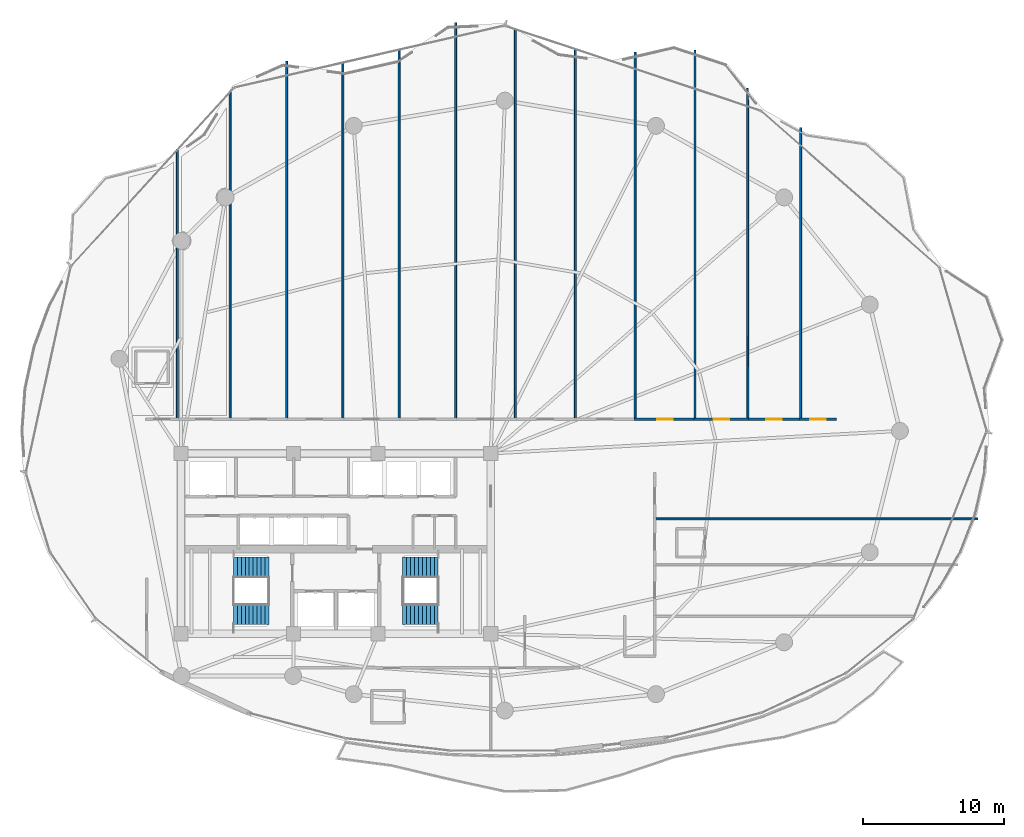
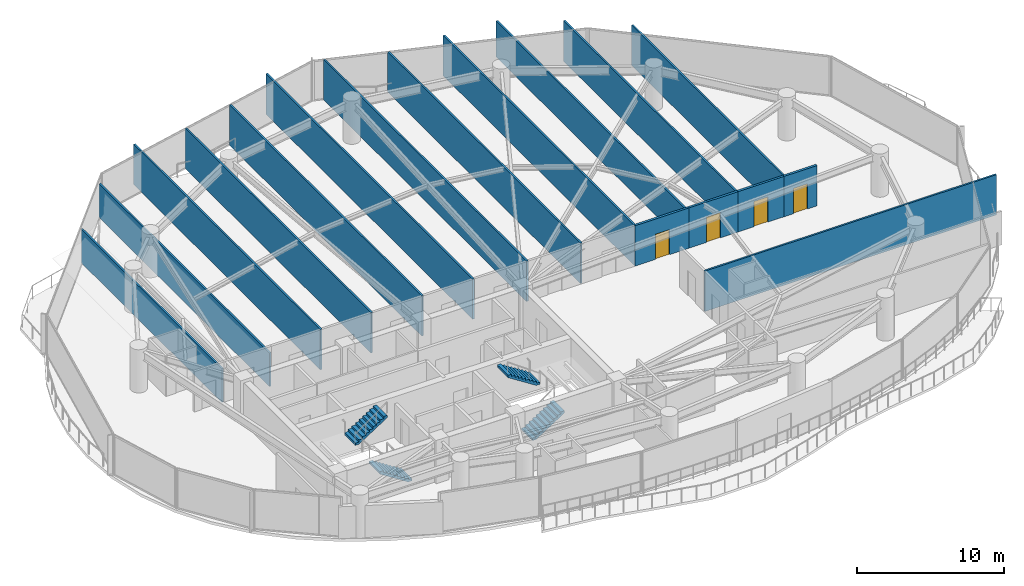
# One storey, part 28 of 34: 17 walls, 4 doors, 4 stair flights, 4 openings, 2 elements without a shape of their own.
"""IFC4 building model written with IfcOpenShell, lengths in metres."""

from ifc_helpers import new_model, si_unit, direction, frame, frame_2d, origin, place, context, subcontext, project, spatial, polyline, rectangle, outline, extrude, material, layer, layer_set, type_object, element, fill, aggregate, save


model = new_model("IFC4")

# Units and contexts
model_context = context("Model", 3, precision=1e-05, world=origin(), true_north=direction((0.0, 1.0)))
body_context = subcontext(model_context, "Body", "Model", "MODEL_VIEW")
ifc_project = project(units=[si_unit("LENGTHUNIT", "METRE"), si_unit("AREAUNIT", "SQUARE_METRE"), si_unit("VOLUMEUNIT", "CUBIC_METRE"), si_unit("PLANEANGLEUNIT", "RADIAN"), si_unit("MASSUNIT", "GRAM", prefix="KILO")], contexts=[model_context])

# Site, building, storey
site_placement = place(None, origin())
site = spatial("IfcSite", under=ifc_project, at=site_placement, CompositionType="ELEMENT")
building_placement = place(site_placement, origin())
building = spatial("IfcBuilding", under=site, at=building_placement, Name="Kazevale Care Tower and Concert Hall", CompositionType="ELEMENT")
storey_placement = place(building_placement, frame((0.0, 0.0, 160.199951171875)))
storey = spatial("IfcBuildingStorey", under=building, at=storey_placement, Name="L42", CompositionType="ELEMENT", Elevation=160.199951171875)

# Walls
ifc_material_1 = material(Name="Acoustic Gypsum on Steel Stud", Category="steel")
ifc_layer_1 = layer(ifc_material_1, 0.139892578125)
ifc_layer_set_1 = layer_set([ifc_layer_1], Name="Acoustic Gypsum on Steel Stud")
wall_type_1 = type_object("IfcWallType", Name="Acoustic Care & Suite Partition 140", PredefinedType="PARTITIONING", material=ifc_layer_set_1)
wall_1_placement = place(storey_placement, frame((21.75, 58.006103515625, 0.0), z_axis=(0.0, 0.0, 1.0), x_axis=(0.0, -1.0, 0.0)))
element("IfcWall", 1, at=wall_1_placement, inside=storey, type_object=wall_type_1, Name="wall:L42:auto_024", PredefinedType="PARTITIONING", context=body_context, shape_type="SweptSolid", body=[
    extrude(rectangle(XDim=19.211181640625, YDim=0.139892578125, at=frame_2d((9.60546875, 0.0))), origin(), (0.0, 0.0, 1.0), 2.80615234375),
])
wall_2_placement = place(storey_placement, frame((25.5, 62.048828125, 0.0), z_axis=(0.0, 0.0, 1.0), x_axis=(0.0, -1.0, 0.0)))
element("IfcWall", 2, at=wall_2_placement, inside=storey, type_object=wall_type_1, Name="wall:L42:auto_025", PredefinedType="PARTITIONING", context=body_context, shape_type="SweptSolid", body=[
    extrude(rectangle(XDim=23.25390625, YDim=0.139892578125, at=frame_2d((11.626953125, 0.0))), origin(), (0.0, 0.0, 1.0), 2.80615234375),
])
wall_3_placement = place(storey_placement, frame((29.5, 64.243896484375, 0.0), z_axis=(0.0, 0.0, 1.0), x_axis=(0.0, -1.0, 0.0)))
element("IfcWall", 3, at=wall_3_placement, inside=storey, type_object=wall_type_1, Name="wall:L42:auto_026", PredefinedType="PARTITIONING", context=body_context, shape_type="SweptSolid", body=[
    extrude(rectangle(XDim=25.448974609375, YDim=0.139892578125, at=frame_2d((12.724609375, 0.0))), origin(), (0.0, 0.0, 1.0), 3.360107421875),
])
wall_4_placement = place(storey_placement, frame((33.5, 64.1298828125, 0.0), z_axis=(0.0, 0.0, 1.0), x_axis=(0.0, -1.0, 0.0)))
element("IfcWall", 4, at=wall_4_placement, inside=storey, type_object=wall_type_1, Name="wall:L42:auto_027", PredefinedType="PARTITIONING", context=body_context, shape_type="SweptSolid", body=[
    extrude(rectangle(XDim=25.3349609375, YDim=0.139892578125, at=frame_2d((12.66748046875, 0.0))), origin(), (0.0, 0.0, 1.0), 3.360107421875),
])
wall_5_placement = place(storey_placement, frame((37.5, 65.04736328125, 0.0), z_axis=(0.0, 0.0, 1.0), x_axis=(0.0, -1.0, 0.0)))
element("IfcWall", 5, at=wall_5_placement, inside=storey, type_object=wall_type_1, Name="wall:L42:auto_028", PredefinedType="PARTITIONING", context=body_context, shape_type="SweptSolid", body=[
    extrude(rectangle(XDim=26.25244140625, YDim=0.139892578125, at=frame_2d((13.126220703125, 0.0))), origin(), (0.0, 0.0, 1.0), 3.360107421875),
])
wall_6_placement = place(storey_placement, frame((41.5, 66.992919921875, 0.0), z_axis=(0.0, 0.0, 1.0), x_axis=(0.0, -1.0, 0.0)))
element("IfcWall", 6, at=wall_6_placement, inside=storey, type_object=wall_type_1, Name="wall:L42:auto_029", PredefinedType="PARTITIONING", context=body_context, shape_type="SweptSolid", body=[
    extrude(rectangle(XDim=28.197998046875, YDim=0.139892578125, at=frame_2d((14.09912109375, 0.0))), origin(), (0.0, 0.0, 1.0), 3.360107421875),
])
wall_7_placement = place(storey_placement, frame((45.75, 66.495361328125, 0.0), z_axis=(0.0, 0.0, 1.0), x_axis=(0.0, -1.0, 0.0)))
element("IfcWall", 7, at=wall_7_placement, inside=storey, type_object=wall_type_1, Name="wall:L42:auto_030", PredefinedType="PARTITIONING", context=body_context, shape_type="SweptSolid", body=[
    extrude(rectangle(XDim=27.700439453125, YDim=0.139892578125, at=frame_2d((13.85009765625, 0.0))), origin(), (0.0, 0.0, 1.0), 3.360107421875),
])
wall_8_placement = place(storey_placement, frame((50.0, 65.08544921875, 0.0), z_axis=(0.0, 0.0, 1.0), x_axis=(0.0, -1.0, 0.0)))
element("IfcWall", 8, at=wall_8_placement, inside=storey, type_object=wall_type_1, Name="wall:L42:auto_031", PredefinedType="PARTITIONING", context=body_context, shape_type="SweptSolid", body=[
    extrude(rectangle(XDim=26.29052734375, YDim=0.139892578125, at=frame_2d((13.145263671875, 0.0))), origin(), (0.0, 0.0, 1.0), 3.360107421875),
])
wall_9_placement = place(storey_placement, frame((54.25, 64.885986328125, 0.0), z_axis=(0.0, 0.0, 1.0), x_axis=(0.0, -1.0, 0.0)))
element("IfcWall", 9, at=wall_9_placement, inside=storey, type_object=wall_type_1, Name="wall:L42:auto_032", PredefinedType="PARTITIONING", context=body_context, shape_type="SweptSolid", body=[
    extrude(rectangle(XDim=26.091064453125, YDim=0.139892578125, at=frame_2d((13.04541015625, 0.0))), origin(), (0.0, 0.0, 1.0), 3.360107421875),
])
wall_10_placement = place(storey_placement, frame((58.5, 65.02294921875, 0.0), z_axis=(0.0, 0.0, 1.0), x_axis=(0.0, -1.0, 0.0)))
element("IfcWall", 10, at=wall_10_placement, inside=storey, type_object=wall_type_1, Name="wall:L42:auto_033", PredefinedType="PARTITIONING", context=body_context, shape_type="SweptSolid", body=[
    extrude(rectangle(XDim=26.22802734375, YDim=0.139892578125, at=frame_2d((13.114013671875, 0.0))), origin(), (0.0, 0.0, 1.0), 2.99609375),
])
wall_11_placement = place(storey_placement, frame((62.22802734375, 62.31689453125, 0.0), z_axis=(0.0, 0.0, 1.0), x_axis=(0.000934132821, -0.999999563698, 0.0)))
element("IfcWall", 11, at=wall_11_placement, inside=storey, type_object=wall_type_1, Name="wall:L42:auto_034", PredefinedType="PARTITIONING", context=body_context, shape_type="SweptSolid", body=[
    extrude(rectangle(XDim=23.52197265625, YDim=0.139892578125, at=frame_2d((11.760986328125, 0.0))), origin(), (0.0, 0.0, 1.0), 3.360107421875),
])
wall_12_placement = place(storey_placement, frame((66.0, 59.532958984375, 0.0), z_axis=(0.0, 0.0, 1.0), x_axis=(0.0, -1.0, 0.0)))
element("IfcWall", 12, at=wall_12_placement, inside=storey, type_object=wall_type_1, Name="wall:L42:auto_035", PredefinedType="PARTITIONING", context=body_context, shape_type="SweptSolid", body=[
    extrude(rectangle(XDim=20.738037109375, YDim=0.139892578125, at=frame_2d((10.369140625, 0.0))), origin(), (0.0, 0.0, 1.0), 3.360107421875),
])
wall_13_placement = place(storey_placement, frame((55.6201171875, 31.75, 0.0), z_axis=(0.0, 0.0, 1.0), x_axis=(1.0, 0.0, 0.0)))
element("IfcWall", 13, at=wall_13_placement, inside=storey, type_object=wall_type_1, Name="wall:L42:auto_039", PredefinedType="PARTITIONING", context=body_context, shape_type="SweptSolid", body=[
    extrude(rectangle(XDim=22.9677734375, YDim=0.139892578125, at=frame_2d((11.48388671875, 0.0))), origin(), (0.0, 0.0, 1.0), 3.360107421875),
])

# Wall, opening, door
ifc_material_2 = material(Name="Concrete C40 and Acoustic Gypsum", Category="concrete")
ifc_layer_2 = layer(ifc_material_2, 0.179931640625)
ifc_layer_set_2 = layer_set([ifc_layer_2], Name="Concrete C40 and Acoustic Gypsum")
wall_type_2 = type_object("IfcWallType", Name="Fire-Rated Corridor & Party Wall 180", PredefinedType="PARTITIONING", material=ifc_layer_set_2)
wall_14_placement = place(storey_placement, frame((54.18505859375, 38.824951171875, 0.0), z_axis=(0.0, 0.0, 1.0), x_axis=(1.0, 0.0, 0.0)))
wall_14 = element("IfcWall", 14, at=wall_14_placement, inside=storey, type_object=wall_type_2, Name="wall:L42:auto_010", PredefinedType="PARTITIONING", context=body_context, shape_type="SweptSolid", body=[
    extrude(rectangle(XDim=4.3798828125, YDim=0.179931640625, at=frame_2d((2.18994140625, 0.0))), origin(), (0.0, 0.0, 1.0), 3.360107421875),
])
opening_1_placement = place(wall_14_placement, frame((1.639892578125, 0.0, 0.0)))
opening_1 = element("IfcOpeningElement", 15, at=opening_1_placement, cuts=wall_14, Name="Opening ID-1100", PredefinedType="OPENING", context=body_context, shape_type="SweptSolid", body=[
    extrude(rectangle(XDim=1.10009765625, YDim=2.10009765625, at=frame_2d((0.550048828125, 1.050048828125))), frame((0.0, 0.099853515625, 0.0), z_axis=(0.0, -1.0, 0.0), x_axis=(1.0, 0.0, 0.0)), (0.0, 0.0, 1.0), 0.199951171875),
])
ifc_material_3 = material(Name="Oak Timber Fire Leaf", Category="wood")
door_type = type_object("IfcDoorType", Name="Care Bedroom Accessible Door 1100x2100", OperationType="NOTDEFINED", PredefinedType="DOOR", material=ifc_material_3)
door_1_placement = place(opening_1_placement, origin())
door_1 = element("IfcDoor", 16, at=door_1_placement, inside=storey, type_object=door_type, Name="door:L42:ad_010", OperationType="SINGLE_SWING_LEFT", OverallHeight=2.10009765625, OverallWidth=1.10009765625, PredefinedType="DOOR", context=body_context, shape_type="SweptSolid", body=[
    extrude(rectangle(XDim=1.10009765625, YDim=2.10009765625, at=frame_2d((0.550048828125, 1.050048828125))), frame((0.0, 0.02490234375, 0.0), z_axis=(0.0, -1.0, 0.0), x_axis=(1.0, 0.0, 0.0)), (0.0, 0.0, 1.0), 0.050048828125),
])
fill(opening_1, door_1)

wall_15_placement = place(storey_placement, frame((58.43505859375, 38.824951171875, 0.0), z_axis=(0.0, 0.0, 1.0), x_axis=(1.0, 0.0, 0.0)))
wall_15 = element("IfcWall", 17, at=wall_15_placement, inside=storey, type_object=wall_type_2, Name="wall:L42:auto_011", PredefinedType="PARTITIONING", context=body_context, shape_type="SweptSolid", body=[
    extrude(rectangle(XDim=3.8798828125, YDim=0.179931640625, at=frame_2d((1.93994140625, 0.0))), origin(), (0.0, 0.0, 1.0), 3.360107421875),
])
opening_2_placement = place(wall_15_placement, frame((1.389892578125, 0.0, 0.0)))
opening_2 = element("IfcOpeningElement", 18, at=opening_2_placement, cuts=wall_15, Name="Opening ID-1100", PredefinedType="OPENING", context=body_context, shape_type="SweptSolid", body=[
    extrude(rectangle(XDim=1.10009765625, YDim=2.10009765625, at=frame_2d((0.550048828125, 1.050048828125))), frame((0.0, 0.099853515625, 0.0), z_axis=(0.0, -1.0, 0.0), x_axis=(1.0, 0.0, 0.0)), (0.0, 0.0, 1.0), 0.199951171875),
])
door_2_placement = place(opening_2_placement, origin())
door_2 = element("IfcDoor", 19, at=door_2_placement, inside=storey, type_object=door_type, Name="door:L42:ad_011", OperationType="SINGLE_SWING_LEFT", OverallHeight=2.10009765625, OverallWidth=1.10009765625, PredefinedType="DOOR", context=body_context, shape_type="SweptSolid", body=[
    extrude(rectangle(XDim=1.10009765625, YDim=2.10009765625, at=frame_2d((0.550048828125, 1.050048828125))), frame((0.0, 0.02490234375, 0.0), z_axis=(0.0, -1.0, 0.0), x_axis=(1.0, 0.0, 0.0)), (0.0, 0.0, 1.0), 0.050048828125),
])
fill(opening_2, door_2)

wall_16_placement = place(storey_placement, frame((62.18505859375, 38.824951171875, 0.0), z_axis=(0.0, 0.0, 1.0), x_axis=(1.0, 0.0, 0.0)))
wall_16 = element("IfcWall", 20, at=wall_16_placement, inside=storey, type_object=wall_type_2, Name="wall:L42:auto_012", PredefinedType="PARTITIONING", context=body_context, shape_type="SweptSolid", body=[
    extrude(rectangle(XDim=3.8798828125, YDim=0.179931640625, at=frame_2d((1.93994140625, 0.0))), origin(), (0.0, 0.0, 1.0), 3.360107421875),
])
opening_3_placement = place(wall_16_placement, frame((1.389892578125, 0.0, 0.0)))
opening_3 = element("IfcOpeningElement", 21, at=opening_3_placement, cuts=wall_16, Name="Opening ID-1100", PredefinedType="OPENING", context=body_context, shape_type="SweptSolid", body=[
    extrude(rectangle(XDim=1.10009765625, YDim=2.10009765625, at=frame_2d((0.550048828125, 1.050048828125))), frame((0.0, 0.099853515625, 0.0), z_axis=(0.0, -1.0, 0.0), x_axis=(1.0, 0.0, 0.0)), (0.0, 0.0, 1.0), 0.199951171875),
])
door_3_placement = place(opening_3_placement, origin())
door_3 = element("IfcDoor", 22, at=door_3_placement, inside=storey, type_object=door_type, Name="door:L42:ad_012", OperationType="SINGLE_SWING_LEFT", OverallHeight=2.10009765625, OverallWidth=1.10009765625, PredefinedType="DOOR", context=body_context, shape_type="SweptSolid", body=[
    extrude(rectangle(XDim=1.10009765625, YDim=2.10009765625, at=frame_2d((0.550048828125, 1.050048828125))), frame((0.0, 0.02490234375, 0.0), z_axis=(0.0, -1.0, 0.0), x_axis=(1.0, 0.0, 0.0)), (0.0, 0.0, 1.0), 0.050048828125),
])
fill(opening_3, door_3)

wall_17_placement = place(storey_placement, frame((65.93505859375, 38.824951171875, 0.0), z_axis=(0.0, 0.0, 1.0), x_axis=(1.0, 0.0, 0.0)))
wall_17 = element("IfcWall", 23, at=wall_17_placement, inside=storey, type_object=wall_type_2, Name="wall:L42:auto_013", PredefinedType="PARTITIONING", context=body_context, shape_type="SweptSolid", body=[
    extrude(rectangle(XDim=2.594970703125, YDim=0.179931640625, at=frame_2d((1.29736328125, 0.0))), origin(), (0.0, 0.0, 1.0), 3.360107421875),
])
opening_4_placement = place(wall_17_placement, frame((0.748046875, 0.0, 0.0)))
opening_4 = element("IfcOpeningElement", 24, at=opening_4_placement, cuts=wall_17, Name="Opening ID-1100", PredefinedType="OPENING", context=body_context, shape_type="SweptSolid", body=[
    extrude(rectangle(XDim=1.10009765625, YDim=2.10009765625, at=frame_2d((0.550048828125, 1.050048828125))), frame((0.0, 0.099853515625, 0.0), z_axis=(0.0, -1.0, 0.0), x_axis=(1.0, 0.0, 0.0)), (0.0, 0.0, 1.0), 0.199951171875),
])
door_4_placement = place(opening_4_placement, origin())
door_4 = element("IfcDoor", 25, at=door_4_placement, inside=storey, type_object=door_type, Name="door:L42:ad_013", OperationType="SINGLE_SWING_LEFT", OverallHeight=2.10009765625, OverallWidth=1.10009765625, PredefinedType="DOOR", context=body_context, shape_type="SweptSolid", body=[
    extrude(rectangle(XDim=1.10009765625, YDim=2.10009765625, at=frame_2d((0.550048828125, 1.050048828125))), frame((0.0, 0.02490234375, 0.0), z_axis=(0.0, -1.0, 0.0), x_axis=(1.0, 0.0, 0.0)), (0.0, 0.0, 1.0), 0.050048828125),
])
fill(opening_4, door_4)

# Stair, stair flights
ifc_material_4 = material(Name="Concrete C40", Category="concrete")
stair_type = type_object("IfcStairType", Name="Exit Stair Assembly ST1-Z2", PredefinedType="HALF_TURN_STAIR", material=ifc_material_4)
stair_1_placement = place(storey_placement, origin())
stair_1 = element("IfcStair", 26, at=stair_1_placement, inside=storey, type_object=stair_type, Name="stair:L42:ST1", PredefinedType="HALF_TURN_STAIR")
ifc_layer_3 = layer(ifc_material_4, 0.159912109375)
ifc_layer_set_3 = layer_set([ifc_layer_3], Name="Concrete C40")
stair_flight_type = type_object("IfcStairFlightType", Name="Exit Stair Flight ST1-Z2", PredefinedType="STRAIGHT", material=ifc_layer_set_3)
stair_flight_1_placement = place(storey_placement, frame((28.25, 24.97998046875, 0.0), z_axis=(0.0, 0.0, 1.0), x_axis=(-1.0, 0.0, 0.0)))
stair_flight_1 = element("IfcStairFlight", 27, at=stair_flight_1_placement, type_object=stair_flight_type, Name="ST1-Z2 flight 1", NumberOfRisers=10, NumberOfTreads=9, PredefinedType="STRAIGHT", RiserHeight=0.18, TreadLength=0.28, context=body_context, shape_type="SweptSolid", body=[
    extrude(outline(polyline([(0.0, 0.0), (0.0, 0.179931640625), (0.280029296875, 0.179931640625), (0.280029296875, 0.360107421875), (0.56005859375, 0.360107421875), (0.56005859375, 0.5400390625), (0.840087890625, 0.5400390625), (0.840087890625, 0.719970703125), (1.1201171875, 0.719970703125), (1.1201171875, 0.89990234375), (1.39990234375, 0.89990234375), (1.39990234375, 1.080078125), (1.679931640625, 1.080078125), (1.679931640625, 1.260009765625), (1.9599609375, 1.260009765625), (1.9599609375, 1.43994140625), (2.239990234375, 1.43994140625), (2.239990234375, 1.6201171875), (2.52001953125, 1.6201171875), (2.52001953125, 1.800048828125), (2.52001953125, 1.429931640625), (0.295654296875, 0.0), (0.0, 0.0)])), frame((0.0, 0.72998046875, 0.0), z_axis=(0.0, -1.0, 0.0), x_axis=(1.0, 0.0, 0.0)), (0.0, 0.0, 1.0), 1.4599609375),
])
stair_flight_2_placement = place(storey_placement, frame((25.72998046875, 28.320068359375, 1.800048828125), z_axis=(0.0, 0.0, 1.0), x_axis=(1.0, 0.0, 0.0)))
stair_flight_2 = element("IfcStairFlight", 28, at=stair_flight_2_placement, type_object=stair_flight_type, Name="ST1-Z2 flight 2", NumberOfRisers=10, NumberOfTreads=9, PredefinedType="STRAIGHT", RiserHeight=0.18, TreadLength=0.28, context=body_context, shape_type="SweptSolid", body=[
    extrude(outline(polyline([(0.0, 0.0), (0.0, 0.179931640625), (0.280029296875, 0.179931640625), (0.280029296875, 0.360107421875), (0.56005859375, 0.360107421875), (0.56005859375, 0.5400390625), (0.840087890625, 0.5400390625), (0.840087890625, 0.719970703125), (1.1201171875, 0.719970703125), (1.1201171875, 0.89990234375), (1.39990234375, 0.89990234375), (1.39990234375, 1.080078125), (1.679931640625, 1.080078125), (1.679931640625, 1.260009765625), (1.9599609375, 1.260009765625), (1.9599609375, 1.43994140625), (2.239990234375, 1.43994140625), (2.239990234375, 1.6201171875), (2.52001953125, 1.6201171875), (2.52001953125, 1.800048828125), (2.52001953125, 1.429931640625), (0.295654296875, 0.0), (0.0, 0.0)])), frame((0.0, 0.72998046875, 0.0), z_axis=(0.0, -1.0, 0.0), x_axis=(1.0, 0.0, 0.0)), (0.0, 0.0, 1.0), 1.4599609375),
])
aggregate(stair_1, [stair_flight_1, stair_flight_2])

stair_2_placement = place(storey_placement, origin())
stair_2 = element("IfcStair", 29, at=stair_2_placement, inside=storey, type_object=stair_type, Name="stair:L42:ST2", PredefinedType="HALF_TURN_STAIR")
stair_flight_3_placement = place(storey_placement, frame((37.75, 24.97998046875, 0.0), z_axis=(0.0, 0.0, 1.0), x_axis=(1.0, 0.0, 0.0)))
stair_flight_3 = element("IfcStairFlight", 30, at=stair_flight_3_placement, type_object=stair_flight_type, Name="ST1-Z2 flight 1", NumberOfRisers=10, NumberOfTreads=9, PredefinedType="STRAIGHT", RiserHeight=0.18, TreadLength=0.28, context=body_context, shape_type="SweptSolid", body=[
    extrude(outline(polyline([(0.0, 0.0), (0.0, 0.179931640625), (0.280029296875, 0.179931640625), (0.280029296875, 0.360107421875), (0.56005859375, 0.360107421875), (0.56005859375, 0.5400390625), (0.840087890625, 0.5400390625), (0.840087890625, 0.719970703125), (1.1201171875, 0.719970703125), (1.1201171875, 0.89990234375), (1.39990234375, 0.89990234375), (1.39990234375, 1.080078125), (1.679931640625, 1.080078125), (1.679931640625, 1.260009765625), (1.9599609375, 1.260009765625), (1.9599609375, 1.43994140625), (2.239990234375, 1.43994140625), (2.239990234375, 1.6201171875), (2.52001953125, 1.6201171875), (2.52001953125, 1.800048828125), (2.52001953125, 1.429931640625), (0.295654296875, 0.0), (0.0, 0.0)])), frame((0.0, 0.72998046875, 0.0), z_axis=(0.0, -1.0, 0.0), x_axis=(1.0, 0.0, 0.0)), (0.0, 0.0, 1.0), 1.4599609375),
])
stair_flight_4_placement = place(storey_placement, frame((40.27001953125, 28.320068359375, 1.800048828125), z_axis=(0.0, 0.0, 1.0), x_axis=(-1.0, 0.0, 0.0)))
stair_flight_4 = element("IfcStairFlight", 31, at=stair_flight_4_placement, type_object=stair_flight_type, Name="ST1-Z2 flight 2", NumberOfRisers=10, NumberOfTreads=9, PredefinedType="STRAIGHT", RiserHeight=0.18, TreadLength=0.28, context=body_context, shape_type="SweptSolid", body=[
    extrude(outline(polyline([(0.0, 0.0), (0.0, 0.179931640625), (0.280029296875, 0.179931640625), (0.280029296875, 0.360107421875), (0.56005859375, 0.360107421875), (0.56005859375, 0.5400390625), (0.840087890625, 0.5400390625), (0.840087890625, 0.719970703125), (1.1201171875, 0.719970703125), (1.1201171875, 0.89990234375), (1.39990234375, 0.89990234375), (1.39990234375, 1.080078125), (1.679931640625, 1.080078125), (1.679931640625, 1.260009765625), (1.9599609375, 1.260009765625), (1.9599609375, 1.43994140625), (2.239990234375, 1.43994140625), (2.239990234375, 1.6201171875), (2.52001953125, 1.6201171875), (2.52001953125, 1.800048828125), (2.52001953125, 1.429931640625), (0.295654296875, 0.0), (0.0, 0.0)])), frame((0.0, 0.72998046875, 0.0), z_axis=(0.0, -1.0, 0.0), x_axis=(1.0, 0.0, 0.0)), (0.0, 0.0, 1.0), 1.4599609375),
])
aggregate(stair_2, [stair_flight_3, stair_flight_4])

save(model, "model.ifc")
